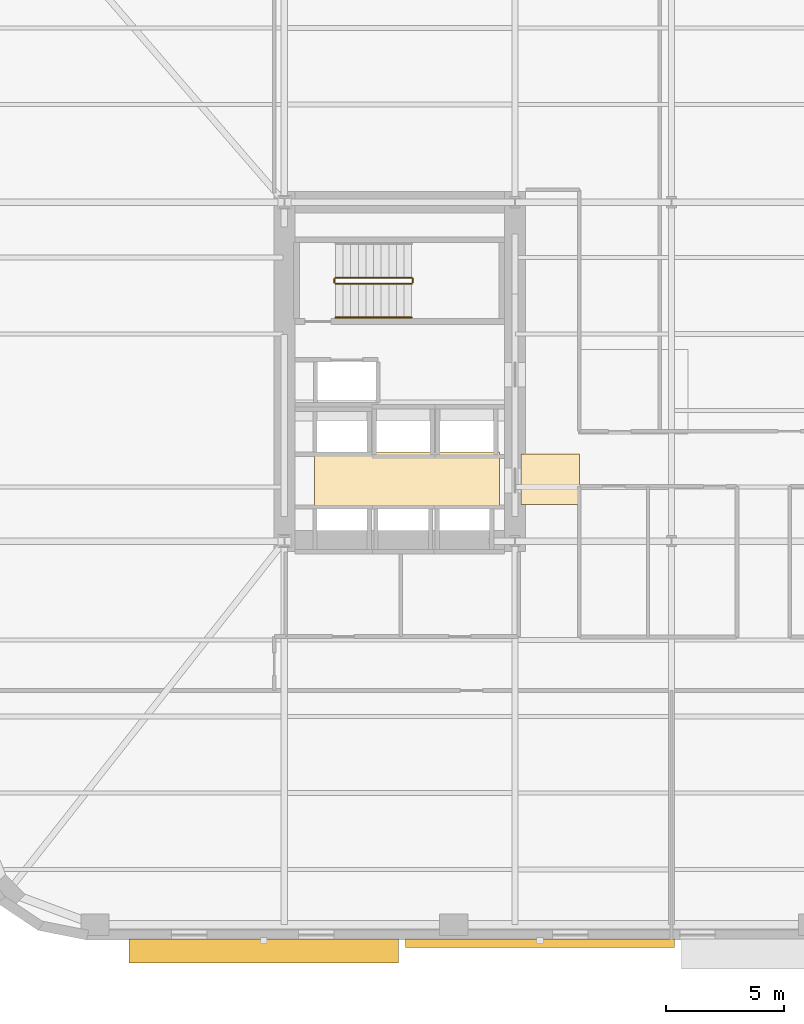
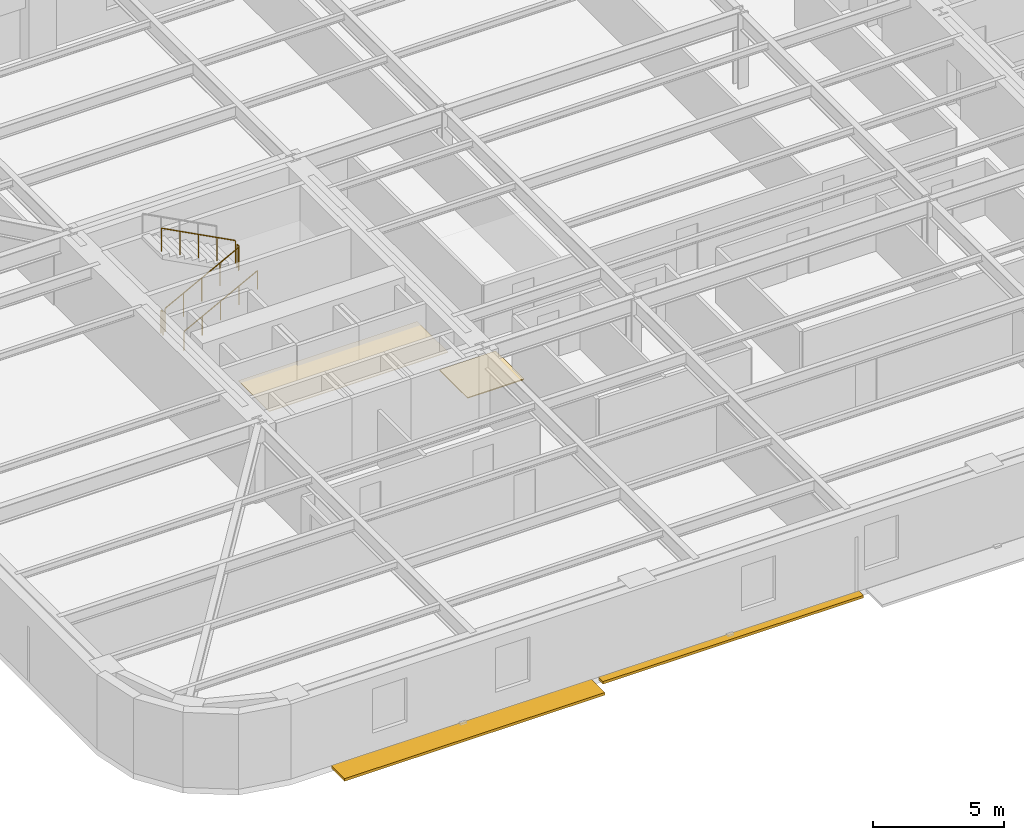
# One storey, part 9 of 14: 5 railings, 2 coverings, 2 shading devices.
"""IFC4 building model written with IfcOpenShell, lengths in metres."""

from ifc_helpers import new_model, si_unit, direction, frame, origin, origin_2d, place, context, subcontext, project, spatial, polyline, rectangle, circle, outline, extrude, material, layer, layer_set, type_object, element, save


model = new_model("IFC4")

# Units and contexts
model_context = context("Model", 3, precision=1e-05, world=origin(), true_north=direction((0.0, 1.0)))
body_context = subcontext(model_context, "Body", "Model", "MODEL_VIEW")
ifc_project = project(units=[si_unit("LENGTHUNIT", "METRE"), si_unit("AREAUNIT", "SQUARE_METRE"), si_unit("VOLUMEUNIT", "CUBIC_METRE"), si_unit("PLANEANGLEUNIT", "RADIAN"), si_unit("MASSUNIT", "GRAM", prefix="KILO")], contexts=[model_context])

# Site, building, storey
site_placement = place(None, origin())
site = spatial("IfcSite", under=ifc_project, at=site_placement, CompositionType="ELEMENT")
building_placement = place(site_placement, origin())
building = spatial("IfcBuilding", under=site, at=building_placement, Name="Kolvaren Arena Tower", CompositionType="ELEMENT")
storey_placement = place(building_placement, frame((0.0, 0.0, 79.5)))
storey = spatial("IfcBuildingStorey", under=building, at=storey_placement, Name="L17", CompositionType="ELEMENT", Elevation=79.5)

# Coverings
ifc_material_1 = material(Name="Moisture-resistant gypsum ceiling", Category="gypsum")
ifc_layer_1 = layer(ifc_material_1, 0.030029296875)
ifc_layer_set_1 = layer_set([ifc_layer_1], Name="Moisture-resistant gypsum ceiling")
covering_type_1 = type_object("IfcCoveringType", Name="CEIL-GYP-1", PredefinedType="CEILING", material=ifc_layer_set_1)
covering_1_placement = place(storey_placement, frame((0.0, 0.0, 2.52001953125)))
element("IfcCovering", 1, at=covering_1_placement, inside=storey, type_object=covering_type_1, Name="Suspended Ceiling (L17)", PredefinedType="CEILING", context=body_context, shape_type="SweptSolid", body=[
    extrude(outline(polyline([(15.820068359375, 20.89990234375), (15.820068359375, 23.239990234375), (23.679931640625, 23.239990234375), (23.679931640625, 20.89990234375), (15.820068359375, 20.89990234375)])), origin(), (0.0, 0.0, 1.0), 0.030029296875),
])
ifc_material_2 = material(Name="Raised access office floor finish", Category="aluminium")
ifc_layer_2 = layer(ifc_material_2, 0.044921875)
ifc_layer_set_2 = layer_set([ifc_layer_2], Name="Raised access office floor finish")
covering_type_2 = type_object("IfcCoveringType", Name="FLOR-RAF-1", PredefinedType="FLOORING", material=ifc_layer_set_2)
covering_2_placement = place(storey_placement, origin())
element("IfcCovering", 2, at=covering_2_placement, inside=storey, type_object=covering_type_2, Name="Floor Finish (L17)", PredefinedType="FLOORING", context=body_context, shape_type="SweptSolid", body=[
    extrude(outline(polyline([(24.60009765625, 21.0), (24.60009765625, 23.14990234375), (27.080078125, 23.14990234375), (27.080078125, 21.0), (24.60009765625, 21.0)])), origin(), (0.0, 0.0, 1.0), 0.044921875),
])

# Railings
ifc_material_3 = material(Name="Painted galvanized steel", Category="steel")
railing_type_1 = type_object("IfcRailingType", Name="GUARD-ST-110", PredefinedType="GUARDRAIL", material=ifc_material_3)
railing_1_placement = place(storey_placement, frame((16.719970703125, 30.389892578125, 0.17041015625)))
element("IfcRailing", 3, at=railing_1_placement, inside=storey, type_object=railing_type_1, Name="L17 ST-W1 stair guard 1", PredefinedType="GUARDRAIL", context=body_context, shape_type="SweptSolid", body=[
    extrude(circle(Radius=0.02392578125, at=origin_2d()), frame((0.0, 0.0, 1.076171875), z_axis=(0.884993431791, 0.0, 0.465603506952), x_axis=(0.0, 1.0, 0.0)), (0.0, 0.0, 1.0), 3.6611328125),
    extrude(circle(Radius=0.02099609375, at=origin_2d()), origin(), (0.0, 0.0, 1.0), 1.052001953125),
    extrude(circle(Radius=0.02099609375, at=origin_2d()), frame((0.81005859375, 0.0, 0.42626953125)), (0.0, 0.0, 1.0), 1.052001953125),
    extrude(circle(Radius=0.02099609375, at=origin_2d()), frame((1.6201171875, 0.0, 0.852294921875)), (0.0, 0.0, 1.0), 1.052001953125),
    extrude(circle(Radius=0.02099609375, at=origin_2d()), frame((2.429931640625, 0.0, 1.2783203125)), (0.0, 0.0, 1.0), 1.052001953125),
    extrude(circle(Radius=0.02099609375, at=origin_2d()), frame((3.239990234375, 0.0, 1.70458984375)), (0.0, 0.0, 1.0), 1.052001953125),
])
railing_2_placement = place(storey_placement, frame((20.010009765625, 30.43994140625, 1.875)))
element("IfcRailing", 4, at=railing_2_placement, inside=storey, type_object=railing_type_1, Name="L17 ST-W1 stair guard 2", PredefinedType="GUARDRAIL", context=body_context, shape_type="SweptSolid", body=[
    extrude(circle(Radius=0.02392578125, at=origin_2d()), frame((0.0, 0.0, 1.076171875), z_axis=(0.0, 1.0, 0.0), x_axis=(-1.0, 0.0, 0.0)), (0.0, 0.0, 1.0), 0.150146484375),
    extrude(circle(Radius=0.02099609375, at=origin_2d()), origin(), (0.0, 0.0, 1.0), 1.052001953125),
    extrude(circle(Radius=0.02099609375, at=origin_2d()), frame((0.0, 0.150146484375, 0.0)), (0.0, 0.0, 1.0), 1.052001953125),
])
railing_3_placement = place(storey_placement, frame((19.9599609375, 30.639892578125, 2.04541015625)))
element("IfcRailing", 5, at=railing_3_placement, inside=storey, type_object=railing_type_1, Name="L17 ST-W1 stair guard 3", PredefinedType="GUARDRAIL", context=body_context, shape_type="SweptSolid", body=[
    extrude(circle(Radius=0.02392578125, at=origin_2d()), frame((0.0, 0.0, 1.076171875), z_axis=(-0.884993431791, 0.0, 0.465603506952), x_axis=(0.0, -1.0, 0.0)), (0.0, 0.0, 1.0), 3.6611328125),
    extrude(circle(Radius=0.02099609375, at=origin_2d()), origin(), (0.0, 0.0, 1.0), 1.052001953125),
    extrude(circle(Radius=0.02099609375, at=origin_2d()), frame((-0.81005859375, 0.0, 0.42626953125)), (0.0, 0.0, 1.0), 1.052001953125),
    extrude(circle(Radius=0.02099609375, at=origin_2d()), frame((-1.6201171875, 0.0, 0.852294921875)), (0.0, 0.0, 1.0), 1.052001953125),
    extrude(circle(Radius=0.02099609375, at=origin_2d()), frame((-2.429931640625, 0.0, 1.2783203125)), (0.0, 0.0, 1.0), 1.052001953125),
    extrude(circle(Radius=0.02099609375, at=origin_2d()), frame((-3.239990234375, 0.0, 1.70458984375)), (0.0, 0.0, 1.0), 1.052001953125),
])
railing_4_placement = place(storey_placement, frame((16.669921875, 30.43994140625, 0.0)))
element("IfcRailing", 6, at=railing_4_placement, inside=storey, type_object=railing_type_1, Name="L17 ST-W1 stair guard 4", PredefinedType="GUARDRAIL", context=body_context, shape_type="SweptSolid", body=[
    extrude(circle(Radius=0.02392578125, at=origin_2d()), frame((0.0, 0.0, 1.076171875), z_axis=(0.0, 1.0, 0.0), x_axis=(-1.0, 0.0, 0.0)), (0.0, 0.0, 1.0), 0.150146484375),
    extrude(circle(Radius=0.02099609375, at=origin_2d()), origin(), (0.0, 0.0, 1.0), 1.052001953125),
    extrude(circle(Radius=0.02099609375, at=origin_2d()), frame((0.0, 0.150146484375, 0.0)), (0.0, 0.0, 1.0), 1.052001953125),
])
ifc_material_4 = material(Name="Brushed stainless steel handrail", Category="steel")
railing_type_2 = type_object("IfcRailingType", Name="HRAIL-900", PredefinedType="HANDRAIL", material=ifc_material_4)
railing_5_placement = place(storey_placement, frame((16.719970703125, 28.949951171875, 0.17041015625)))
element("IfcRailing", 7, at=railing_5_placement, inside=storey, type_object=railing_type_2, Name="L17 ST-W1 stair handrail 1", PredefinedType="HANDRAIL", context=body_context, shape_type="SweptSolid", body=[
    extrude(circle(Radius=0.02392578125, at=origin_2d()), frame((0.0, 0.0, 0.8759765625), z_axis=(0.884993431791, 0.0, 0.465603506952), x_axis=(0.0, 1.0, 0.0)), (0.0, 0.0, 1.0), 3.6611328125),
    extrude(circle(Radius=0.02099609375, at=origin_2d()), origin(), (0.0, 0.0, 1.0), 0.851806640625),
    extrude(circle(Radius=0.02099609375, at=origin_2d()), frame((0.81005859375, 0.0, 0.42626953125)), (0.0, 0.0, 1.0), 0.851806640625),
    extrude(circle(Radius=0.02099609375, at=origin_2d()), frame((1.6201171875, 0.0, 0.852294921875)), (0.0, 0.0, 1.0), 0.851806640625),
    extrude(circle(Radius=0.02099609375, at=origin_2d()), frame((2.429931640625, 0.0, 1.2783203125)), (0.0, 0.0, 1.0), 0.851806640625),
    extrude(circle(Radius=0.02099609375, at=origin_2d()), frame((3.239990234375, 0.0, 1.70458984375)), (0.0, 0.0, 1.0), 0.851806640625),
])

# Shading devices
ifc_material_5 = material(Name="Architectural precast GFRC and anodised aluminium sunshade", Category="concrete")
shading_device_type = type_object("IfcShadingDeviceType", Name="SHAD-SINE-A", PredefinedType="USERDEFINED", material=ifc_material_5)
shading_device_1_placement = place(storey_placement, frame((25.409912109375, 2.36962890625, -0.14013671875), z_axis=(0.0, 0.0, 1.0), x_axis=(-1.0, 0.0, 0.0)))
element("IfcShadingDevice", 8, at=shading_device_1_placement, inside=storey, type_object=shading_device_type, Name="Sinusoidal Slab-Edge Sunshade Louvre (L17)", ObjectType="LOUVRE", PredefinedType="USERDEFINED", context=body_context, shape_type="SweptSolid", body=[
    extrude(rectangle(XDim=11.43994140625, YDim=0.36083984375, at=origin_2d()), origin(), (0.0, 0.0, 1.0), 0.1201171875),
])
shading_device_2_placement = place(storey_placement, frame((13.669921875, 2.0380859375, -0.14013671875), z_axis=(0.0, 0.0, 1.0), x_axis=(-1.0, 0.0, 0.0)))
element("IfcShadingDevice", 9, at=shading_device_2_placement, inside=storey, type_object=shading_device_type, Name="Sinusoidal Slab-Edge Sunshade Louvre (L17)", ObjectType="LOUVRE", PredefinedType="USERDEFINED", context=body_context, shape_type="SweptSolid", body=[
    extrude(rectangle(XDim=11.43994140625, YDim=1.023681640625, at=origin_2d()), origin(), (0.0, 0.0, 1.0), 0.1201171875),
])

save(model, "model.ifc")
